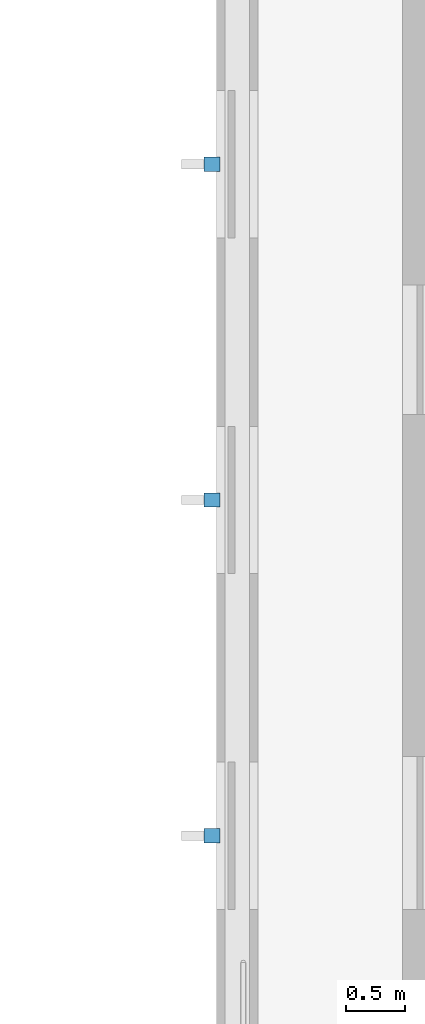
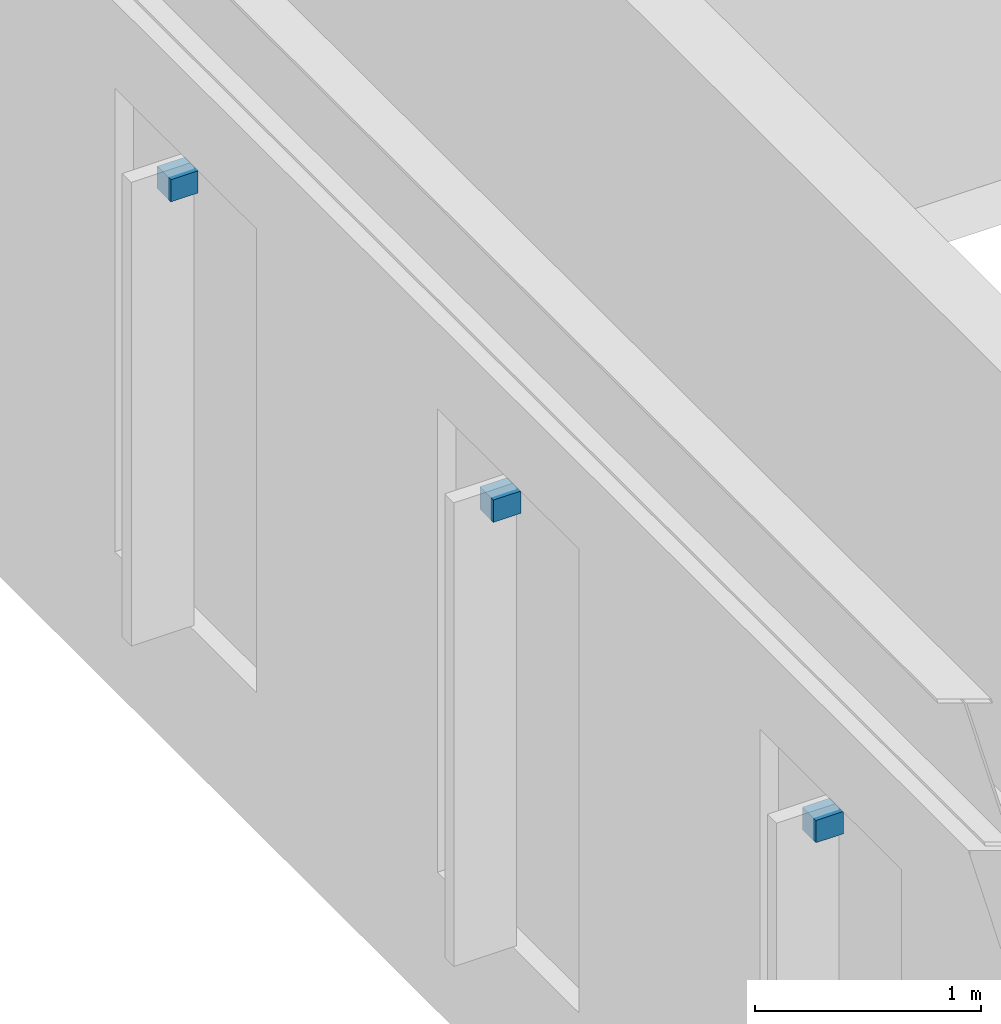
# One storey, part 74 of 80: 3 discrete accessories.
"""IFC4 building model written with IfcOpenShell, lengths in metres."""

from ifc_helpers import new_model, si_unit, direction, frame, origin, origin_2d, place, context, subcontext, project, spatial, rectangle, extrude, material, type_object, element, save


model = new_model("IFC4")

# Units and contexts
model_context = context("Model", 3, precision=1e-05, world=origin(), true_north=direction((0.0, 1.0)))
body_context = subcontext(model_context, "Body", "Model", "MODEL_VIEW")
ifc_project = project(units=[si_unit("LENGTHUNIT", "METRE"), si_unit("AREAUNIT", "SQUARE_METRE"), si_unit("VOLUMEUNIT", "CUBIC_METRE"), si_unit("PLANEANGLEUNIT", "RADIAN"), si_unit("MASSUNIT", "GRAM", prefix="KILO"), si_unit("POWERUNIT", "WATT"), si_unit("THERMODYNAMICTEMPERATUREUNIT", "KELVIN")], contexts=[model_context])

# Site, building, storey
site_placement = place(None, origin())
site = spatial("IfcSite", under=ifc_project, at=site_placement, CompositionType="ELEMENT")
building_placement = place(site_placement, origin())
building = spatial("IfcBuilding", under=site, at=building_placement, Name="Kelmbourne Parkland Aquatics Centre", CompositionType="ELEMENT")
storey_placement = place(building_placement, frame((0.0, 0.0, 10.199951171875)))
storey = spatial("IfcBuildingStorey", under=building, at=storey_placement, Name="L02", CompositionType="ELEMENT", Elevation=10.199951171875)

# Discrete accessories
ifc_material = material(Name="Hot-dip galvanised structural steel AS/NZS 4680", Category="steel")
discrete_accessory_type = type_object("IfcDiscreteAccessoryType", Name="ACC-BRK-1", PredefinedType="BRACKET", material=ifc_material)
for number, where, z_axis, x_axis, name in (
    (1, (127.784912109375, 105.927001953125, 3.090087890625), (0.0, 0.0, 1.0), (0.0, 1.0, 0.0), "Galvanised sunshade fixing bracket 161"),
    (2, (127.784912109375, 108.77587890625, 3.090087890625), (0.0, 0.0, 1.0), (0.0, 1.0, 0.0), "Galvanised sunshade fixing bracket 162"),
    (3, (127.784912109375, 111.625, 3.090087890625), (0.0, 0.0, 1.0), (0.0, 1.0, 0.0), "Galvanised sunshade fixing bracket 163"),
):
    element("IfcDiscreteAccessory", number, at=place(storey_placement, frame(where, z_axis=z_axis, x_axis=x_axis)), inside=storey, type_object=discrete_accessory_type, Name=name, PredefinedType="BRACKET", context=body_context, shape_type="SweptSolid", body=[
        extrude(rectangle(XDim=0.1201171875, YDim=0.139892578125, at=origin_2d()), origin(), (0.0, 0.0, 1.0), 0.1201171875),
    ])

save(model, "model.ifc")
